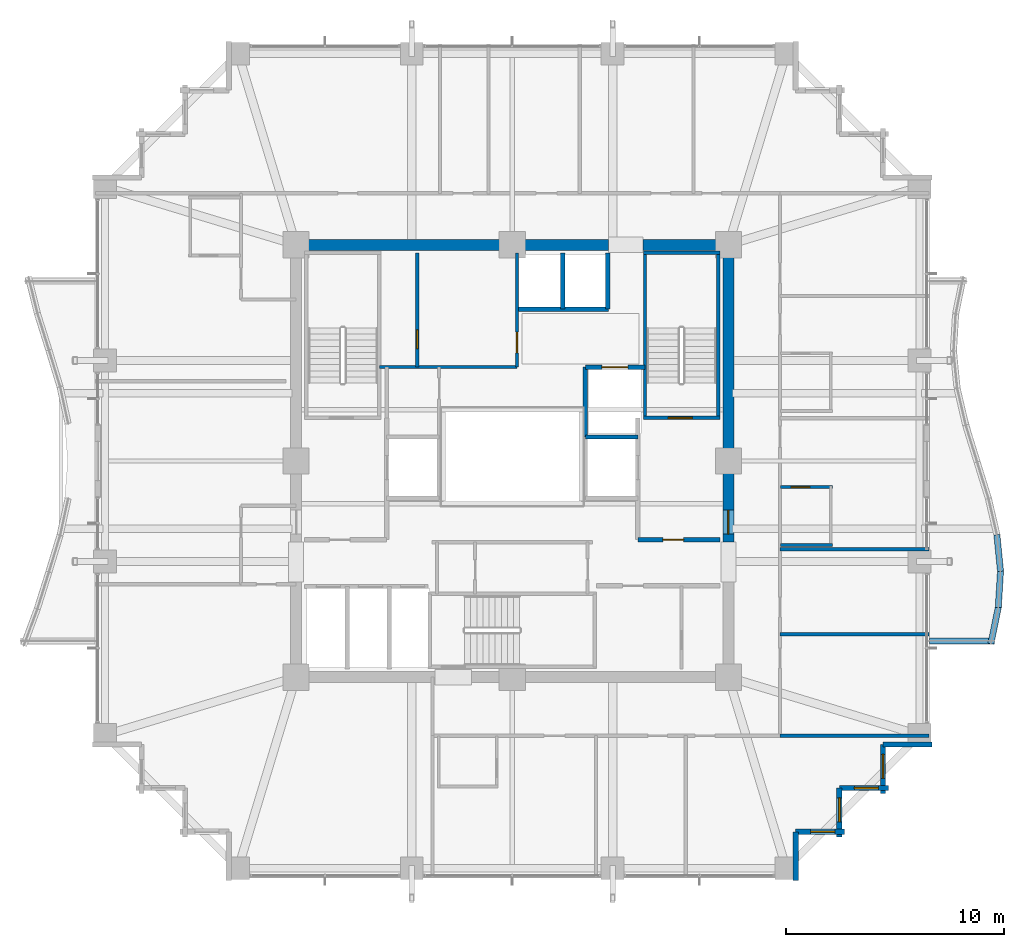
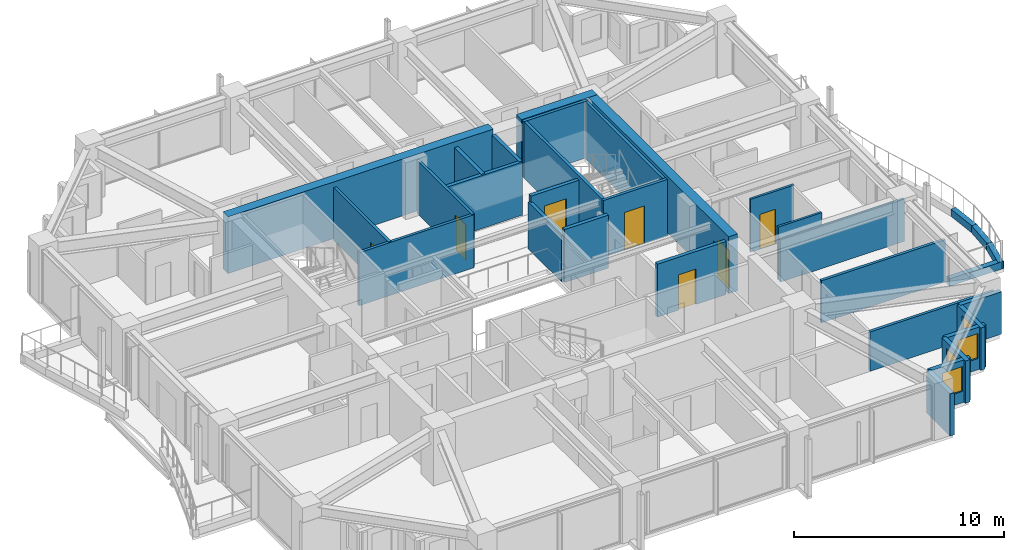
# One storey, part 31 of 35: 32 walls, 7 doors, 4 windows, 11 openings.
"""IFC4 building model written with IfcOpenShell, lengths in metres."""

import ifcopenshell
import ifcopenshell.guid

model = None  # the IFC model being written
_history = None  # IfcOwnerHistory: only IFC2X3 demands one
_inside = {}  # id of a spatial element -> (the spatial element, [elements in it])
_under = {}  # id of a project, library or spatial element -> (it, [spatial elements below it])
_declared = {}  # id of a project -> (the project, [libraries it declares])
_typed = {}  # id of a type object -> (the type object, [elements of that type])
_made_of = {}  # id of a material, layer set ... -> (it, [elements and type objects made of it])


def new_model(schema):
    """Start an empty IFC model of exactly this schema.

    Asked for "IFC4X3", IfcOpenShell would pick the latest addendum, in which some entities
    have other attributes; the version numbers below select the first issue.
    IFC2X3 requires an IfcOwnerHistory on every rooted entity: one is made here for all.
    """
    global model, _history
    if schema == "IFC4X3":
        model = ifcopenshell.file(schema_version=(4, 3, 0, 0))
    else:
        model = ifcopenshell.file(schema=schema)
    _inside.clear()
    _under.clear()
    _declared.clear()
    _typed.clear()
    _made_of.clear()
    _history = None
    if model.schema == "IFC2X3":
        org = make("IfcOrganization", Name="unknown")
        user = make(
            "IfcPersonAndOrganization",
            ThePerson=make("IfcPerson", FamilyName="unknown"),
            TheOrganization=org,
        )
        app = make(
            "IfcApplication",
            ApplicationDeveloper=org,
            Version="unknown",
            ApplicationFullName="unknown",
            ApplicationIdentifier="unknown",
        )
        _history = make(
            "IfcOwnerHistory",
            OwningUser=user,
            OwningApplication=app,
            ChangeAction="ADDED",
            CreationDate=0,
        )
    return model


def make(cls, **values):
    """One entity of the class cls with the attributes given. An attribute that is None is left unset."""
    return model.create_entity(
        cls, **{name: value for name, value in values.items() if value is not None}
    )


def rooted(cls, **values):
    """An entity with a GlobalId (a new one), such as an element, a storey or a relation."""
    return make(cls, GlobalId=ifcopenshell.guid.new(), OwnerHistory=_history, **values)


def si_unit(unit_type, name, prefix=None):
    """IfcSIUnit, for example si_unit("LENGTHUNIT", "METRE", prefix="MILLI")."""
    return make("IfcSIUnit", UnitType=unit_type, Prefix=prefix, Name=name)


def assignment(units):
    """IfcUnitAssignment: the units of a project."""
    return None if units is None else make("IfcUnitAssignment", Units=units)


def point(xyz):
    """IfcCartesianPoint."""
    return None if xyz is None else make("IfcCartesianPoint", Coordinates=xyz)


def direction(xyz):
    """IfcDirection."""
    return None if xyz is None else make("IfcDirection", DirectionRatios=xyz)


def frame(location, z_axis=None, x_axis=None):
    """IfcAxis2Placement3D, a coordinate frame: its origin and axes. An axis left out is left unset."""
    return make(
        "IfcAxis2Placement3D",
        Location=point(location),
        Axis=direction(z_axis),
        RefDirection=direction(x_axis),
    )


def frame_2d(location, x_axis=None):
    """IfcAxis2Placement2D, a coordinate frame in the plane: its origin and x axis."""
    return make(
        "IfcAxis2Placement2D", Location=point(location), RefDirection=direction(x_axis)
    )


def origin():
    """The frame at (0, 0, 0) with its axes left unset."""
    return frame((0.0, 0.0, 0.0))


def place(relative_to, where):
    """IfcLocalPlacement: puts the frame where relative to a parent placement (None: the world)."""
    return make(
        "IfcLocalPlacement", PlacementRelTo=relative_to, RelativePlacement=where
    )


def context(
    kind, dimensions, precision=None, world=None, true_north=None, identifier=None
):
    """IfcGeometricRepresentationContext, for example the 3D "Model" context."""
    return make(
        "IfcGeometricRepresentationContext",
        ContextIdentifier=identifier,
        ContextType=kind,
        CoordinateSpaceDimension=dimensions,
        Precision=precision,
        WorldCoordinateSystem=world,
        TrueNorth=true_north,
    )


def subcontext(parent, identifier, kind, view, scale=None):
    """IfcGeometricRepresentationSubContext, for example "Body" below "Model"."""
    return make(
        "IfcGeometricRepresentationSubContext",
        ContextIdentifier=identifier,
        ContextType=kind,
        ParentContext=parent,
        TargetScale=scale,
        TargetView=view,
    )


def project(units=None, contexts=None):
    """IfcProject with its units and contexts."""
    return rooted(
        "IfcProject",
        Name="project",
        RepresentationContexts=contexts,
        UnitsInContext=assignment(units),
    )


def spatial(cls, under=None, at=None, **own):
    """A site, building, storey or space (cls), placed at a placement, below another one or the project."""
    s = rooted(cls, ObjectPlacement=at, **own)
    if under is not None:
        _under.setdefault(under.id(), (under, []))[1].append(s)
    return s


def profile(cls, at=None, kind="AREA", **sizes):
    """A parametric profile (cls). Its sizes go by their IFC names, for example OverallWidth=200.0."""
    return make(cls, ProfileType=kind, Position=at, **sizes)


def rectangle(**sizes):
    """IfcRectangleProfileDef."""
    return profile("IfcRectangleProfileDef", **sizes)


def extrude(swept, where, along, depth):
    """IfcExtrudedAreaSolid: the profile swept, set in the frame where, extruded along a direction by depth."""
    return make(
        "IfcExtrudedAreaSolid",
        SweptArea=swept,
        Position=where,
        ExtrudedDirection=direction(along),
        Depth=depth,
    )


def shape(context_of_items, identifier, shape_type, items):
    """IfcShapeRepresentation: the items that make up one representation, for example the "Body"."""
    return make(
        "IfcShapeRepresentation",
        ContextOfItems=context_of_items,
        RepresentationIdentifier=identifier,
        RepresentationType=shape_type,
        Items=items,
    )


def material(Name=None, Category=None):
    """IfcMaterial."""
    return make("IfcMaterial", Name=Name, Category=Category)


def layer(
    of_material, thickness, ventilated=None, Name=None, Category=None, Priority=None
):
    """IfcMaterialLayer: one layer of a wall or slab, of a material (None: an air gap)."""
    return make(
        "IfcMaterialLayer",
        Material=of_material,
        LayerThickness=thickness,
        IsVentilated=ventilated,
        Name=Name,
        Category=Category,
        Priority=Priority,
    )


def layer_set(layers, Name=None):
    """IfcMaterialLayerSet."""
    return make("IfcMaterialLayerSet", MaterialLayers=layers, LayerSetName=Name)


def made_of(thing, what):
    """Note that an element or type object is made of a material, layer set ...; save() writes the relation."""
    if what is not None:
        _made_of.setdefault(what.id(), (what, []))[1].append(thing)
    return thing


def type_object(cls, material=None, **own):
    """A type object (cls), such as IfcWallType, which elements share."""
    return made_of(rooted(cls, **own), material)


def element(
    cls,
    number,
    at=None,
    inside=None,
    cuts=None,
    type_object=None,
    material=None,
    context=None,
    identifier="Body",
    shape_type=None,
    held_by="IfcProductDefinitionShape",
    body=None,
    shapes=None,
    **own,
):
    """One element of the class cls, such as IfcWall. Its Tag is "e" and its number.

    at: its placement. inside: the storey or other place that contains it. cuts: it is an
    opening in that element (IfcRelVoidsElement). A single representation is given by context,
    identifier, shape_type and body (its items); several are given by shapes. held_by: the class
    of the entity that holds the representations. save() writes the other relations.
    """
    e = rooted(cls, Tag="e%d" % number, ObjectPlacement=at, **own)
    if body is not None:
        shapes = [shape(context, identifier, shape_type, body)]
    if shapes is not None:
        e.Representation = make(held_by, Representations=shapes)
    if inside is not None:
        _inside.setdefault(inside.id(), (inside, []))[1].append(e)
    if cuts is not None:
        rooted(
            "IfcRelVoidsElement", RelatingBuildingElement=cuts, RelatedOpeningElement=e
        )
    if type_object is not None:
        _typed.setdefault(type_object.id(), (type_object, []))[1].append(e)
    return made_of(e, material)


def fill(opening, filler):
    """IfcRelFillsElement: the door or window that sits in an opening."""
    return rooted(
        "IfcRelFillsElement",
        RelatingOpeningElement=opening,
        RelatedBuildingElement=filler,
    )


def aggregate(whole, parts):
    """IfcRelAggregates: a whole, such as a stair, and the parts it consists of."""
    return rooted("IfcRelAggregates", RelatingObject=whole, RelatedObjects=parts)


def save(model, path):
    """Write the relations noted so far, then the file.

    IfcRelAggregates (storeys below a building ...), IfcRelContainedInSpatialStructure (elements
    in a storey), IfcRelDefinesByType, IfcRelAssociatesMaterial and IfcRelDeclares: one each for
    every whole, place, type object, material and project.
    """
    for whole, parts in _under.values():
        aggregate(whole, parts)
    for where, things in _inside.values():
        rooted(
            "IfcRelContainedInSpatialStructure",
            RelatedElements=things,
            RelatingStructure=where,
        )
    for kind, things in _typed.values():
        rooted("IfcRelDefinesByType", RelatedObjects=things, RelatingType=kind)
    for what, things in _made_of.values():
        rooted("IfcRelAssociatesMaterial", RelatedObjects=things, RelatingMaterial=what)
    for by, libraries in _declared.values():
        rooted("IfcRelDeclares", RelatingContext=by, RelatedDefinitions=libraries)
    model.write(path)


model = new_model("IFC4")

# Units and contexts
model_context = context("Model", 3, precision=1e-05, world=origin(), true_north=direction((0.0, 1.0)))
body_context = subcontext(model_context, "Body", "Model", "MODEL_VIEW")
ifc_project = project(units=[si_unit("LENGTHUNIT", "METRE"), si_unit("AREAUNIT", "SQUARE_METRE"), si_unit("VOLUMEUNIT", "CUBIC_METRE"), si_unit("PLANEANGLEUNIT", "RADIAN"), si_unit("MASSUNIT", "GRAM", prefix="KILO")], contexts=[model_context])

# Site, building, storey
site_placement = place(None, origin())
site = spatial("IfcSite", under=ifc_project, at=site_placement, CompositionType="ELEMENT")
building_placement = place(site_placement, origin())
building = spatial("IfcBuilding", under=site, at=building_placement, Name="Kolvaren Belvedere", CompositionType="ELEMENT")
storey_placement = place(building_placement, frame((0.0, 0.0, 115.10009765625)))
storey = spatial("IfcBuildingStorey", under=building, at=storey_placement, Name="L33", CompositionType="ELEMENT", Elevation=115.10009765625)

# Walls
ifc_material_1 = material(Name="Concrete C50/60", Category="concrete")
ifc_layer_1 = layer(ifc_material_1, 0.5)
ifc_layer_set_1 = layer_set([ifc_layer_1], Name="Concrete C50/60")
wall_type_1 = type_object("IfcWallType", Name="CW-CORE-500", PredefinedType="SHEAR", material=ifc_layer_set_1)
wall_1_placement = place(storey_placement, frame((-10.14990234375, 9.89990234375, 0.0), z_axis=(0.0, 0.0, 1.0), x_axis=(1.0, 0.0, 0.0)))
element("IfcWall", 1, at=wall_1_placement, inside=storey, type_object=wall_type_1, Name="L33 North Core Shear Wall 1", PredefinedType="SHEAR", context=body_context, shape_type="SweptSolid", body=[
    extrude(rectangle(XDim=14.56982421875, YDim=0.5, at=frame_2d((7.284912109375, 0.0))), origin(), (0.0, 0.0, 1.0), 3.2998046875),
])
wall_2_placement = place(storey_placement, frame((5.97998046875, 9.89990234375, 0.0), z_axis=(0.0, 0.0, 1.0), x_axis=(1.0, 0.0, 0.0)))
element("IfcWall", 2, at=wall_2_placement, inside=storey, type_object=wall_type_1, Name="L33 North Core Shear Wall 2", PredefinedType="SHEAR", context=body_context, shape_type="SweptSolid", body=[
    extrude(rectangle(XDim=4.169921875, YDim=0.5, at=frame_2d((2.0849609375, 0.0))), origin(), (0.0, 0.0, 1.0), 3.2998046875),
])

# Wall, opening, door
wall_3_placement = place(storey_placement, frame((9.89990234375, -3.699951171875, 0.0), z_axis=(0.0, 0.0, 1.0), x_axis=(0.0, 1.0, 0.0)))
wall_3 = element("IfcWall", 3, at=wall_3_placement, inside=storey, type_object=wall_type_1, Name="L33 East Core Shear Wall 2", PredefinedType="SHEAR", context=body_context, shape_type="SweptSolid", body=[
    extrude(rectangle(XDim=13.349853515625, YDim=0.5, at=frame_2d((6.6748046875, 0.0))), origin(), (0.0, 0.0, 1.0), 3.2998046875),
])
opening_1_placement = place(wall_3_placement, frame((0.35009765625, 0.0, 0.0)))
opening_1 = element("IfcOpeningElement", 4, at=opening_1_placement, cuts=wall_3, Name="Opening D-FD90", PredefinedType="OPENING", context=body_context, shape_type="SweptSolid", body=[
    extrude(rectangle(XDim=1.10009765625, YDim=2.199951171875, at=frame_2d((0.550048828125, 1.10009765625))), frame((0.0, 0.260009765625, 0.0), z_axis=(0.0, -1.0, 0.0), x_axis=(1.0, 0.0, 0.0)), (0.0, 0.0, 1.0), 0.52001953125),
])
ifc_material_2 = material(Name="Painted hollow stainless steel", Category="steel")
door_type_1 = type_object("IfcDoorType", Name="DR-FD90-1100", OperationType="NOTDEFINED", PredefinedType="DOOR", material=ifc_material_2)
door_1_placement = place(opening_1_placement, origin())
door_1 = element("IfcDoor", 5, at=door_1_placement, inside=storey, type_object=door_type_1, Name="L33 East Firefighting Lobby Fire Door", OperationType="SINGLE_SWING_RIGHT", OverallHeight=2.199951171875, OverallWidth=1.10009765625, PredefinedType="DOOR", context=body_context, shape_type="SweptSolid", body=[
    extrude(rectangle(XDim=1.10009765625, YDim=2.199951171875, at=frame_2d((0.550048828125, 1.10009765625))), frame((0.0, 0.02490234375, 0.0), z_axis=(0.0, -1.0, 0.0), x_axis=(1.0, 0.0, 0.0)), (0.0, 0.0, 1.0), 0.050048828125),
])
fill(opening_1, door_1)

ifc_material_3 = material(Name="Concrete C50/60", Category="concrete")
ifc_layer_2 = layer(ifc_material_3, 0.159912109375)
ifc_layer_set_2 = layer_set([ifc_layer_2], Name="Concrete C50/60")
wall_type_2 = type_object("IfcWallType", Name="CW-STAIR-160", PredefinedType="SHEAR", material=ifc_layer_set_2)
wall_4_placement = place(storey_placement, frame((6.0, 1.969970703125, 0.0), z_axis=(0.0, 0.0, 1.0), x_axis=(1.0, 0.0, 0.0)))
wall_4 = element("IfcWall", 6, at=wall_4_placement, inside=storey, type_object=wall_type_2, Name="L33 Stair ST-2 South Shear Wall", PredefinedType="SHEAR", context=body_context, shape_type="SweptSolid", body=[
    extrude(rectangle(XDim=3.52001953125, YDim=0.159912109375, at=frame_2d((1.760009765625, 0.0))), origin(), (0.0, 0.0, 1.0), 3.2998046875),
])
opening_2_placement = place(wall_4_placement, frame((1.14990234375, 0.0, 0.0)))
opening_2 = element("IfcOpeningElement", 7, at=opening_2_placement, cuts=wall_4, Name="Opening D-FD90", PredefinedType="OPENING", context=body_context, shape_type="SweptSolid", body=[
    extrude(rectangle(XDim=1.10009765625, YDim=2.199951171875, at=frame_2d((0.550048828125, 1.10009765625))), frame((0.0, 0.08984375, 0.0), z_axis=(0.0, -1.0, 0.0), x_axis=(1.0, 0.0, 0.0)), (0.0, 0.0, 1.0), 0.179931640625),
])
door_2_placement = place(opening_2_placement, origin())
door_2 = element("IfcDoor", 8, at=door_2_placement, inside=storey, type_object=door_type_1, Name="L33 Stair ST-2 Fire Door", OperationType="SINGLE_SWING_RIGHT", OverallHeight=2.199951171875, OverallWidth=1.10009765625, PredefinedType="DOOR", context=body_context, shape_type="SweptSolid", body=[
    extrude(rectangle(XDim=1.10009765625, YDim=2.199951171875, at=frame_2d((0.550048828125, 1.10009765625))), frame((0.0, 0.02490234375, 0.0), z_axis=(0.0, -1.0, 0.0), x_axis=(1.0, 0.0, 0.0)), (0.0, 0.0, 1.0), 0.050048828125),
])
fill(opening_2, door_2)

# Walls
wall_5_placement = place(storey_placement, frame((6.0, 9.530029296875, 0.0), z_axis=(0.0, 0.0, 1.0), x_axis=(1.0, 0.0, 0.0)))
element("IfcWall", 9, at=wall_5_placement, inside=storey, type_object=wall_type_2, Name="L33 Stair ST-2 North Shear Wall", PredefinedType="SHEAR", context=body_context, shape_type="SweptSolid", body=[
    extrude(rectangle(XDim=3.52001953125, YDim=0.159912109375, at=frame_2d((1.760009765625, 0.0))), origin(), (0.0, 0.0, 1.0), 3.2998046875),
])
for number, where, z_axis, x_axis, name in (
    (10, (6.080078125, 1.969970703125, 0.0), (0.0, 0.0, 1.0), (0.0, 1.0, 0.0), "L33 Stair ST-2 West Shear Wall"),
    (11, (9.429931640625, 1.969970703125, 0.0), (0.0, 0.0, 1.0), (0.0, 1.0, 0.0), "L33 Stair ST-2 East Shear Wall"),
):
    element("IfcWall", number, at=place(storey_placement, frame(where, z_axis=z_axis, x_axis=x_axis)), inside=storey, type_object=wall_type_2, Name=name, PredefinedType="SHEAR", context=body_context, shape_type="SweptSolid", body=[
        extrude(rectangle(XDim=7.56005859375, YDim=0.159912109375, at=frame_2d((3.780029296875, 0.0))), origin(), (0.0, 0.0, 1.0), 3.2998046875),
    ])
ifc_material_4 = material(Name="Insulated pale-metal facade wall assembly", Category="aluminium")
ifc_layer_3 = layer(ifc_material_4, 0.239990234375)
ifc_layer_set_3 = layer_set([ifc_layer_3], Name="Insulated pale-metal facade wall assembly")
wall_type_3 = type_object("IfcWallType", Name="WL-EXT-240", PredefinedType="STANDARD", material=ifc_layer_set_3)
wall_6_placement = place(storey_placement, frame((12.97998046875, -16.97998046875, 0.0), z_axis=(0.0, 0.0, 1.0), x_axis=(0.0, -1.0, 0.0)))
element("IfcWall", 12, at=wall_6_placement, inside=storey, type_object=wall_type_3, Name="L33 Serrated Corner Facade Wall 2", PredefinedType="STANDARD", context=body_context, shape_type="SweptSolid", body=[
    extrude(rectangle(XDim=2.239990234375, YDim=0.239990234375, at=frame_2d((1.1201171875, 0.0))), origin(), (0.0, 0.0, 1.0), 2.458984375),
])

# Wall, opening, window
wall_7_placement = place(storey_placement, frame((15.219970703125, -16.97998046875, 0.0), z_axis=(0.0, 0.0, 1.0), x_axis=(-1.0, 0.0, 0.0)))
wall_7 = element("IfcWall", 13, at=wall_7_placement, inside=storey, type_object=wall_type_3, Name="L33 Serrated Corner Facade Wall 3", PredefinedType="STANDARD", context=body_context, shape_type="SweptSolid", body=[
    extrude(rectangle(XDim=2.239990234375, YDim=0.239990234375, at=frame_2d((1.1201171875, 0.0))), origin(), (0.0, 0.0, 1.0), 2.458984375),
])
opening_3_placement = place(wall_7_placement, frame((0.449951171875, 0.0, 0.64990234375)))
opening_3 = element("IfcOpeningElement", 14, at=opening_3_placement, cuts=wall_7, Name="Opening W-1100", PredefinedType="OPENING", context=body_context, shape_type="SweptSolid", body=[
    extrude(rectangle(XDim=1.10009765625, YDim=1.449951171875, at=frame_2d((0.550048828125, 0.72509765625))), frame((0.0, 0.1298828125, 0.0), z_axis=(0.0, -1.0, 0.0), x_axis=(1.0, 0.0, 0.0)), (0.0, 0.0, 1.0), 0.260009765625),
])
ifc_material_5 = material(Name="Low-iron triple insulated glass", Category="glass")
window_type = type_object("IfcWindowType", Name="WN-CORN-1100", PartitioningType="SINGLE_PANEL", PredefinedType="WINDOW", material=ifc_material_5)
window_1_placement = place(opening_3_placement, origin())
window_1 = element("IfcWindow", 15, at=window_1_placement, inside=storey, type_object=window_type, Name="L33 Serrated Corner Vision Window 3", OverallHeight=1.449951171875, OverallWidth=1.10009765625, PartitioningType="SINGLE_PANEL", PredefinedType="WINDOW", context=body_context, shape_type="SweptSolid", body=[
    extrude(rectangle(XDim=1.10009765625, YDim=1.449951171875, at=frame_2d((0.550048828125, 0.72509765625))), frame((0.0, 0.030029296875, 0.0), z_axis=(0.0, -1.0, 0.0), x_axis=(1.0, 0.0, 0.0)), (0.0, 0.0, 1.0), 0.06005859375),
])
fill(opening_3, window_1)

wall_8_placement = place(storey_placement, frame((14.97998046875, -14.97998046875, 0.0), z_axis=(0.0, 0.0, 1.0), x_axis=(0.0, -1.0, 0.0)))
wall_8 = element("IfcWall", 16, at=wall_8_placement, inside=storey, type_object=wall_type_3, Name="L33 Serrated Corner Facade Wall 4", PredefinedType="STANDARD", context=body_context, shape_type="SweptSolid", body=[
    extrude(rectangle(XDim=2.239990234375, YDim=0.239990234375, at=frame_2d((1.1201171875, 0.0))), origin(), (0.0, 0.0, 1.0), 2.458984375),
])
opening_4_placement = place(wall_8_placement, frame((0.449951171875, 0.0, 0.64990234375)))
opening_4 = element("IfcOpeningElement", 17, at=opening_4_placement, cuts=wall_8, Name="Opening W-1100", PredefinedType="OPENING", context=body_context, shape_type="SweptSolid", body=[
    extrude(rectangle(XDim=1.10009765625, YDim=1.449951171875, at=frame_2d((0.550048828125, 0.72509765625))), frame((0.0, 0.1298828125, 0.0), z_axis=(0.0, -1.0, 0.0), x_axis=(1.0, 0.0, 0.0)), (0.0, 0.0, 1.0), 0.260009765625),
])
window_2_placement = place(opening_4_placement, origin())
window_2 = element("IfcWindow", 18, at=window_2_placement, inside=storey, type_object=window_type, Name="L33 Serrated Corner Vision Window 4", OverallHeight=1.449951171875, OverallWidth=1.10009765625, PartitioningType="SINGLE_PANEL", PredefinedType="WINDOW", context=body_context, shape_type="SweptSolid", body=[
    extrude(rectangle(XDim=1.10009765625, YDim=1.449951171875, at=frame_2d((0.550048828125, 0.72509765625))), frame((0.0, 0.030029296875, 0.0), z_axis=(0.0, -1.0, 0.0), x_axis=(1.0, 0.0, 0.0)), (0.0, 0.0, 1.0), 0.06005859375),
])
fill(opening_4, window_2)

wall_9_placement = place(storey_placement, frame((17.219970703125, -14.97998046875, 0.0), z_axis=(0.0, 0.0, 1.0), x_axis=(-1.0, 0.0, 0.0)))
wall_9 = element("IfcWall", 19, at=wall_9_placement, inside=storey, type_object=wall_type_3, Name="L33 Serrated Corner Facade Wall 5", PredefinedType="STANDARD", context=body_context, shape_type="SweptSolid", body=[
    extrude(rectangle(XDim=2.239990234375, YDim=0.239990234375, at=frame_2d((1.1201171875, 0.0))), origin(), (0.0, 0.0, 1.0), 2.458984375),
])
opening_5_placement = place(wall_9_placement, frame((0.449951171875, 0.0, 0.64990234375)))
opening_5 = element("IfcOpeningElement", 20, at=opening_5_placement, cuts=wall_9, Name="Opening W-1100", PredefinedType="OPENING", context=body_context, shape_type="SweptSolid", body=[
    extrude(rectangle(XDim=1.10009765625, YDim=1.449951171875, at=frame_2d((0.550048828125, 0.72509765625))), frame((0.0, 0.1298828125, 0.0), z_axis=(0.0, -1.0, 0.0), x_axis=(1.0, 0.0, 0.0)), (0.0, 0.0, 1.0), 0.260009765625),
])
window_3_placement = place(opening_5_placement, origin())
window_3 = element("IfcWindow", 21, at=window_3_placement, inside=storey, type_object=window_type, Name="L33 Serrated Corner Vision Window 5", OverallHeight=1.449951171875, OverallWidth=1.10009765625, PartitioningType="SINGLE_PANEL", PredefinedType="WINDOW", context=body_context, shape_type="SweptSolid", body=[
    extrude(rectangle(XDim=1.10009765625, YDim=1.449951171875, at=frame_2d((0.550048828125, 0.72509765625))), frame((0.0, 0.030029296875, 0.0), z_axis=(0.0, -1.0, 0.0), x_axis=(1.0, 0.0, 0.0)), (0.0, 0.0, 1.0), 0.06005859375),
])
fill(opening_5, window_3)

wall_10_placement = place(storey_placement, frame((16.97998046875, -12.97998046875, 0.0), z_axis=(0.0, 0.0, 1.0), x_axis=(0.0, -1.0, 0.0)))
wall_10 = element("IfcWall", 22, at=wall_10_placement, inside=storey, type_object=wall_type_3, Name="L33 Serrated Corner Facade Wall 6", PredefinedType="STANDARD", context=body_context, shape_type="SweptSolid", body=[
    extrude(rectangle(XDim=2.239990234375, YDim=0.239990234375, at=frame_2d((1.1201171875, 0.0))), origin(), (0.0, 0.0, 1.0), 2.458984375),
])
opening_6_placement = place(wall_10_placement, frame((0.449951171875, 0.0, 0.64990234375)))
opening_6 = element("IfcOpeningElement", 23, at=opening_6_placement, cuts=wall_10, Name="Opening W-1100", PredefinedType="OPENING", context=body_context, shape_type="SweptSolid", body=[
    extrude(rectangle(XDim=1.10009765625, YDim=1.449951171875, at=frame_2d((0.550048828125, 0.72509765625))), frame((0.0, 0.1298828125, 0.0), z_axis=(0.0, -1.0, 0.0), x_axis=(1.0, 0.0, 0.0)), (0.0, 0.0, 1.0), 0.260009765625),
])
window_4_placement = place(opening_6_placement, origin())
window_4 = element("IfcWindow", 24, at=window_4_placement, inside=storey, type_object=window_type, Name="L33 Serrated Corner Vision Window 6", OverallHeight=1.449951171875, OverallWidth=1.10009765625, PartitioningType="SINGLE_PANEL", PredefinedType="WINDOW", context=body_context, shape_type="SweptSolid", body=[
    extrude(rectangle(XDim=1.10009765625, YDim=1.449951171875, at=frame_2d((0.550048828125, 0.72509765625))), frame((0.0, 0.030029296875, 0.0), z_axis=(0.0, -1.0, 0.0), x_axis=(1.0, 0.0, 0.0)), (0.0, 0.0, 1.0), 0.06005859375),
])
fill(opening_6, window_4)

# Walls
wall_11_placement = place(storey_placement, frame((19.219970703125, -12.97998046875, 0.0), z_axis=(0.0, 0.0, 1.0), x_axis=(-1.0, 0.0, 0.0)))
element("IfcWall", 25, at=wall_11_placement, inside=storey, type_object=wall_type_3, Name="L33 Serrated Corner Facade Wall 7", PredefinedType="STANDARD", context=body_context, shape_type="SweptSolid", body=[
    extrude(rectangle(XDim=2.239990234375, YDim=0.239990234375, at=frame_2d((1.1201171875, 0.0))), origin(), (0.0, 0.0, 1.0), 2.458984375),
])
ifc_material_6 = material(Name="Gypsum acoustic partition assembly", Category="gypsum")
ifc_layer_4 = layer(ifc_material_6, 0.14990234375)
ifc_layer_set_4 = layer_set([ifc_layer_4], Name="Gypsum acoustic partition assembly")
wall_type_4 = type_object("IfcWallType", Name="WL-PART-150", PredefinedType="PARTITIONING", material=ifc_layer_set_4)
wall_12_placement = place(storey_placement, frame((-6.080078125, 4.300048828125, 0.0), z_axis=(0.0, 0.0, 1.0), x_axis=(1.0, 0.0, 0.0)))
element("IfcWall", 26, at=wall_12_placement, inside=storey, type_object=wall_type_4, Name="L33 Reclaimed Salon South Wall", PredefinedType="PARTITIONING", context=body_context, shape_type="SweptSolid", body=[
    extrude(rectangle(XDim=6.300048828125, YDim=0.14990234375, at=frame_2d((3.14990234375, 0.0))), origin(), (0.0, 0.0, 1.0), 3.079833984375),
])

# Wall, opening, door
wall_13_placement = place(storey_placement, frame((0.219970703125, 4.300048828125, 0.0), z_axis=(0.0, 0.0, 1.0), x_axis=(0.0, 1.0, 0.0)))
wall_13 = element("IfcWall", 27, at=wall_13_placement, inside=storey, type_object=wall_type_4, Name="L33 Reclaimed Salon East Wall", PredefinedType="PARTITIONING", context=body_context, shape_type="SweptSolid", body=[
    extrude(rectangle(XDim=5.219970703125, YDim=0.14990234375, at=frame_2d((2.60986328125, 0.0))), origin(), (0.0, 0.0, 1.0), 3.079833984375),
])
opening_7_placement = place(wall_13_placement, frame((0.64990234375, 0.0, 0.0)))
opening_7 = element("IfcOpeningElement", 28, at=opening_7_placement, cuts=wall_13, Name="Opening D-INT95", PredefinedType="OPENING", context=body_context, shape_type="SweptSolid", body=[
    extrude(rectangle(XDim=0.949951171875, YDim=2.06005859375, at=frame_2d((0.47509765625, 1.030029296875))), frame((0.0, 0.0849609375, 0.0), z_axis=(0.0, -1.0, 0.0), x_axis=(1.0, 0.0, 0.0)), (0.0, 0.0, 1.0), 0.169921875),
])
ifc_material_7 = material(Name="Stained Pacific white oak", Category="timber")
door_type_2 = type_object("IfcDoorType", Name="DR-INT-950", OperationType="NOTDEFINED", PredefinedType="DOOR", material=ifc_material_7)
door_3_placement = place(opening_7_placement, origin())
door_3 = element("IfcDoor", 29, at=door_3_placement, inside=storey, type_object=door_type_2, Name="L33 Art Salon Door", OperationType="SINGLE_SWING_LEFT", OverallHeight=2.06005859375, OverallWidth=0.949951171875, PredefinedType="DOOR", context=body_context, shape_type="SweptSolid", body=[
    extrude(rectangle(XDim=0.949951171875, YDim=2.06005859375, at=frame_2d((0.47509765625, 1.030029296875))), frame((0.0, 0.02490234375, 0.0), z_axis=(0.0, -1.0, 0.0), x_axis=(1.0, 0.0, 0.0)), (0.0, 0.0, 1.0), 0.050048828125),
])
fill(opening_7, door_3)

wall_14_placement = place(storey_placement, frame((-4.35009765625, 4.300048828125, 0.0), z_axis=(0.0, 0.0, 1.0), x_axis=(0.0, 1.0, 0.0)))
wall_14 = element("IfcWall", 30, at=wall_14_placement, inside=storey, type_object=wall_type_4, Name="L33 Reclaimed Archive Divider", PredefinedType="PARTITIONING", context=body_context, shape_type="SweptSolid", body=[
    extrude(rectangle(XDim=5.219970703125, YDim=0.14990234375, at=frame_2d((2.60986328125, 0.0))), origin(), (0.0, 0.0, 1.0), 3.079833984375),
])
opening_8_placement = place(wall_14_placement, frame((0.85009765625, 0.0, 0.0)))
opening_8 = element("IfcOpeningElement", 31, at=opening_8_placement, cuts=wall_14, Name="Opening D-INT85", PredefinedType="OPENING", context=body_context, shape_type="SweptSolid", body=[
    extrude(rectangle(XDim=0.85009765625, YDim=2.030029296875, at=frame_2d((0.425048828125, 1.01513671875))), frame((0.0, 0.0849609375, 0.0), z_axis=(0.0, -1.0, 0.0), x_axis=(1.0, 0.0, 0.0)), (0.0, 0.0, 1.0), 0.169921875),
])
ifc_material_8 = material(Name="Stained Pacific white oak", Category="timber")
door_type_3 = type_object("IfcDoorType", Name="DR-INT-850", OperationType="NOTDEFINED", PredefinedType="DOOR", material=ifc_material_8)
door_4_placement = place(opening_8_placement, origin())
door_4 = element("IfcDoor", 32, at=door_4_placement, inside=storey, type_object=door_type_3, Name="L33 Archive Store Door", OperationType="SINGLE_SWING_RIGHT", OverallHeight=2.030029296875, OverallWidth=0.85009765625, PredefinedType="DOOR", context=body_context, shape_type="SweptSolid", body=[
    extrude(rectangle(XDim=0.85009765625, YDim=2.030029296875, at=frame_2d((0.425048828125, 1.01513671875))), frame((0.0, 0.02490234375, 0.0), z_axis=(0.0, -1.0, 0.0), x_axis=(1.0, 0.0, 0.0)), (0.0, 0.0, 1.0), 0.050048828125),
])
fill(opening_8, door_4)

# Walls
wall_15_placement = place(storey_placement, frame((12.260009765625, -12.580078125, 0.0), z_axis=(0.0, 0.0, 1.0), x_axis=(1.0, 0.0, 0.0)))
element("IfcWall", 33, at=wall_15_placement, inside=storey, type_object=wall_type_4, Name="L33 Wing Divider PW-L33-QSE", PredefinedType="PARTITIONING", context=body_context, shape_type="SweptSolid", body=[
    extrude(rectangle(XDim=6.820068359375, YDim=0.14990234375, at=frame_2d((3.41015625, 0.0))), origin(), (0.0, 0.0, 1.0), 2.2919921875),
])
for number, where, z_axis, x_axis, name in (
    (34, (12.260009765625, -7.93994140625, 0.0), (0.0, 0.0, 1.0), (1.0, 0.0, 0.0), "L33 East Suite Demising Wall 1"),
    (35, (12.260009765625, -4.0400390625, 0.0), (0.0, 0.0, 1.0), (1.0, 0.0, 0.0), "L33 East Suite Demising Wall 2"),
):
    element("IfcWall", number, at=place(storey_placement, frame(where, z_axis=z_axis, x_axis=x_axis)), inside=storey, type_object=wall_type_4, Name=name, PredefinedType="PARTITIONING", context=body_context, shape_type="SweptSolid", body=[
        extrude(rectangle(XDim=6.820068359375, YDim=0.14990234375, at=frame_2d((3.41015625, 0.0))), origin(), (0.0, 0.0, 1.0), 2.448974609375),
    ])
ifc_material_9 = material(Name="Precast concrete C40/50", Category="concrete")
ifc_layer_5 = layer(ifc_material_9, 0.300048828125)
ifc_layer_set_5 = layer_set([ifc_layer_5], Name="Precast concrete C40/50")
wall_type_5 = type_object("IfcWallType", Name="WL-PLANTER-300", PredefinedType="PARAPET", material=ifc_layer_set_5)
wall_16_placement = place(storey_placement, frame((21.91796875, -8.367919921875, -0.0400390625), z_axis=(0.0, 0.0, 1.0), x_axis=(0.199784246163, 0.979839912937, 0.0)))
element("IfcWall", 36, at=wall_16_placement, inside=storey, type_object=wall_type_5, Name="L33 Precast Structural Planter Wall BAL-E-1", PredefinedType="PARAPET", context=body_context, shape_type="SweptSolid", body=[
    extrude(rectangle(XDim=1.714599609375, YDim=0.280029296875, at=frame_2d((0.857421875, 0.0))), origin(), (0.0, 0.0, 1.0), 0.419921875),
])
wall_17_placement = place(storey_placement, frame((22.257568359375, -6.710205078125, -0.0400390625), z_axis=(0.0, 0.0, 1.0), x_axis=(0.061068773295, 0.998133560666, 0.0)))
element("IfcWall", 37, at=wall_17_placement, inside=storey, type_object=wall_type_5, Name="L33 Precast Structural Planter Wall BAL-E-2", PredefinedType="PARAPET", context=body_context, shape_type="SweptSolid", body=[
    extrude(rectangle(XDim=1.68310546875, YDim=0.280029296875, at=frame_2d((0.841552734375, 0.0))), origin(), (0.0, 0.0, 1.0), 0.419921875),
])
wall_18_placement = place(storey_placement, frame((22.36083984375, -5.055908203125, -0.0400390625), z_axis=(0.0, 0.0, 1.0), x_axis=(-0.099632573776, 0.995024296308, 0.0)))
element("IfcWall", 38, at=wall_18_placement, inside=storey, type_object=wall_type_5, Name="L33 Precast Structural Planter Wall BAL-E-3", PredefinedType="PARAPET", context=body_context, shape_type="SweptSolid", body=[
    extrude(rectangle(XDim=1.688232421875, YDim=0.280029296875, at=frame_2d((0.84423828125, 0.0))), origin(), (0.0, 0.0, 1.0), 0.419921875),
])
wall_19_placement = place(storey_placement, frame((19.10009765625, -8.239990234375, -0.0400390625), z_axis=(0.0, 0.0, 1.0), x_axis=(1.0, 0.0, 0.0)))
element("IfcWall", 39, at=wall_19_placement, inside=storey, type_object=wall_type_5, Name="L33 Precast Structural Planter Wall BAL-E-22", PredefinedType="PARAPET", context=body_context, shape_type="SweptSolid", body=[
    extrude(rectangle(XDim=2.974609375, YDim=0.280029296875, at=frame_2d((1.4873046875, 0.0))), origin(), (0.0, 0.0, 1.0), 0.419921875),
])

# Wall, opening, door
ifc_material_10 = material(Name="Concrete C50/60", Category="concrete")
ifc_layer_6 = layer(ifc_material_10, 0.199951171875)
ifc_layer_set_6 = layer_set([ifc_layer_6], Name="Concrete C50/60")
wall_type_6 = type_object("IfcWallType", Name="WL-SHAFT-200", PredefinedType="SOLIDWALL", material=ifc_layer_set_6)
wall_20_placement = place(storey_placement, frame((5.75, -3.60009765625, 0.0), z_axis=(0.0, 0.0, 1.0), x_axis=(1.0, 0.0, 0.0)))
wall_20 = element("IfcWall", 40, at=wall_20_placement, inside=storey, type_object=wall_type_6, Name="L33 East FSAE Lobby South Wall", PredefinedType="SOLIDWALL", context=body_context, shape_type="SweptSolid", body=[
    extrude(rectangle(XDim=3.77001953125, YDim=0.199951171875, at=frame_2d((1.885009765625, 0.0))), origin(), (0.0, 0.0, 1.0), 3.079833984375),
])
opening_9_placement = place(wall_20_placement, frame((1.14990234375, 0.0, 0.0)))
opening_9 = element("IfcOpeningElement", 41, at=opening_9_placement, cuts=wall_20, Name="Opening D-FD60", PredefinedType="OPENING", context=body_context, shape_type="SweptSolid", body=[
    extrude(rectangle(XDim=0.949951171875, YDim=2.06005859375, at=frame_2d((0.47509765625, 1.030029296875))), frame((0.0, 0.10986328125, 0.0), z_axis=(0.0, -1.0, 0.0), x_axis=(1.0, 0.0, 0.0)), (0.0, 0.0, 1.0), 0.219970703125),
])
ifc_material_11 = material(Name="Acoustic white-oak fire door leaf", Category="timber")
door_type_4 = type_object("IfcDoorType", Name="DR-FD60-950", OperationType="NOTDEFINED", PredefinedType="DOOR", material=ifc_material_11)
door_5_placement = place(opening_9_placement, origin())
door_5 = element("IfcDoor", 42, at=door_5_placement, inside=storey, type_object=door_type_4, Name="L33 SE Lift Lobby Fire Door", OperationType="SINGLE_SWING_RIGHT", OverallHeight=2.06005859375, OverallWidth=0.949951171875, PredefinedType="DOOR", context=body_context, shape_type="SweptSolid", body=[
    extrude(rectangle(XDim=0.949951171875, YDim=2.06005859375, at=frame_2d((0.47509765625, 1.030029296875))), frame((0.0, 0.02490234375, 0.0), z_axis=(0.0, -1.0, 0.0), x_axis=(1.0, 0.0, 0.0)), (0.0, 0.0, 1.0), 0.050048828125),
])
fill(opening_9, door_5)

# Wall
wall_21_placement = place(storey_placement, frame((3.35009765625, 1.10009765625, 0.0), z_axis=(0.0, 0.0, 1.0), x_axis=(1.0, 0.0, 0.0)))
element("IfcWall", 43, at=wall_21_placement, inside=storey, type_object=wall_type_6, Name="L33 FSAE FS2 North Wall", PredefinedType="SOLIDWALL", context=body_context, shape_type="SweptSolid", body=[
    extrude(rectangle(XDim=2.39990234375, YDim=0.199951171875, at=frame_2d((1.199951171875, 0.0))), origin(), (0.0, 0.0, 1.0), 3.079833984375),
])

# Wall, opening, door
wall_22_placement = place(storey_placement, frame((3.35009765625, 4.300048828125, 0.0), z_axis=(0.0, 0.0, 1.0), x_axis=(1.0, 0.0, 0.0)))
wall_22 = element("IfcWall", 44, at=wall_22_placement, inside=storey, type_object=wall_type_6, Name="L33 Service Lift SV1 Front Wall", PredefinedType="SOLIDWALL", context=body_context, shape_type="SweptSolid", body=[
    extrude(rectangle(XDim=2.72998046875, YDim=0.199951171875, at=frame_2d((1.364990234375, 0.0))), origin(), (0.0, 0.0, 1.0), 3.079833984375),
])
opening_10_placement = place(wall_22_placement, frame((0.75, 0.0, 0.0)))
opening_10 = element("IfcOpeningElement", 45, at=opening_10_placement, cuts=wall_22, Name="Opening LD-12", PredefinedType="OPENING", context=body_context, shape_type="SweptSolid", body=[
    extrude(rectangle(XDim=1.199951171875, YDim=2.25, at=frame_2d((0.60009765625, 1.125))), frame((0.0, 0.10986328125, 0.0), z_axis=(0.0, -1.0, 0.0), x_axis=(1.0, 0.0, 0.0)), (0.0, 0.0, 1.0), 0.219970703125),
])
ifc_material_12 = material(Name="Brushed stainless steel", Category="steel")
door_type_5 = type_object("IfcDoorType", Name="DR-LIFT-1200", OperationType="DOUBLE_DOOR_SLIDING", PredefinedType="DOOR", material=ifc_material_12)
door_6_placement = place(opening_10_placement, origin())
door_6 = element("IfcDoor", 46, at=door_6_placement, inside=storey, type_object=door_type_5, Name="L33 Service Lift SV1 Landing Door", OperationType="DOUBLE_DOOR_SLIDING", OverallHeight=2.25, OverallWidth=1.199951171875, PredefinedType="DOOR", context=body_context, shape_type="SweptSolid", body=[
    extrude(rectangle(XDim=1.199951171875, YDim=2.25, at=frame_2d((0.60009765625, 1.125))), frame((0.0, 0.02490234375, 0.0), z_axis=(0.0, -1.0, 0.0), x_axis=(1.0, 0.0, 0.0)), (0.0, 0.0, 1.0), 0.050048828125),
])
fill(opening_10, door_6)

# Walls
wall_23_placement = place(storey_placement, frame((3.35009765625, 1.10009765625, 0.0), z_axis=(0.0, 0.0, 1.0), x_axis=(0.0, 1.0, 0.0)))
element("IfcWall", 47, at=wall_23_placement, inside=storey, type_object=wall_type_6, Name="L33 Service Lift SV1 West Wall", PredefinedType="SOLIDWALL", context=body_context, shape_type="SweptSolid", body=[
    extrude(rectangle(XDim=3.199951171875, YDim=0.199951171875, at=frame_2d((1.60009765625, 0.0))), origin(), (0.0, 0.0, 1.0), 2.71484375),
])
wall_24_placement = place(storey_placement, frame((0.219970703125, 6.949951171875, 0.0), z_axis=(0.0, 0.0, 1.0), x_axis=(1.0, 0.0, 0.0)))
element("IfcWall", 48, at=wall_24_placement, inside=storey, type_object=wall_type_6, Name="L33 Express Shuttle Hoistway Wall", PredefinedType="SOLIDWALL", context=body_context, shape_type="SweptSolid", body=[
    extrude(rectangle(XDim=4.179931640625, YDim=0.199951171875, at=frame_2d((2.08984375, 0.0))), origin(), (0.0, 0.0, 1.0), 3.079833984375),
])
for number, where, z_axis, x_axis, name in (
    (49, (4.3798828125, 6.949951171875, 0.0), (0.0, 0.0, 1.0), (0.0, 1.0, 0.0), "L33 Express Shuttle East Wall"),
    (50, (2.31005859375, 6.949951171875, 0.0), (0.0, 0.0, 1.0), (0.0, 1.0, 0.0), "L33 Express Shuttle Divider"),
):
    element("IfcWall", number, at=place(storey_placement, frame(where, z_axis=z_axis, x_axis=x_axis)), inside=storey, type_object=wall_type_6, Name=name, PredefinedType="SOLIDWALL", context=body_context, shape_type="SweptSolid", body=[
        extrude(rectangle(XDim=2.570068359375, YDim=0.199951171875, at=frame_2d((1.28515625, 0.0))), origin(), (0.0, 0.0, 1.0), 3.079833984375),
    ])

# Wall, opening, door
ifc_material_13 = material(Name="Moisture-resistant gypsum partition", Category="gypsum")
ifc_layer_7 = layer(ifc_material_13, 0.125)
ifc_layer_set_7 = layer_set([ifc_layer_7], Name="Moisture-resistant gypsum partition")
wall_type_7 = type_object("IfcWallType", Name="WL-WET-125", PredefinedType="PARTITIONING", material=ifc_layer_set_7)
wall_25_placement = place(storey_placement, frame((12.27490234375, -1.195068359375, 0.0), z_axis=(0.0, 0.0, 1.0), x_axis=(1.0, 0.0, 0.0)))
wall_25 = element("IfcWall", 51, at=wall_25_placement, inside=storey, type_object=wall_type_7, Name="L33 Bathroom Partition PW-L33-BTH-6-N", PredefinedType="PARTITIONING", context=body_context, shape_type="SweptSolid", body=[
    extrude(rectangle(XDim=2.39013671875, YDim=0.125, at=frame_2d((1.195068359375, 0.0))), origin(), (0.0, 0.0, 1.0), 3.079833984375),
])
opening_11_placement = place(wall_25_placement, frame((0.5, 0.0, 0.0)))
opening_11 = element("IfcOpeningElement", 52, at=opening_11_placement, cuts=wall_25, Name="Opening D-BTH85", PredefinedType="OPENING", context=body_context, shape_type="SweptSolid", body=[
    extrude(rectangle(XDim=0.85009765625, YDim=2.030029296875, at=frame_2d((0.425048828125, 1.01513671875))), frame((0.0, 0.072509765625, 0.0), z_axis=(0.0, -1.0, 0.0), x_axis=(1.0, 0.0, 0.0)), (0.0, 0.0, 1.0), 0.14501953125),
])
ifc_material_14 = material(Name="Moisture-sealed Pacific white oak", Category="timber")
door_type_6 = type_object("IfcDoorType", Name="DR-BATH-850", OperationType="NOTDEFINED", PredefinedType="DOOR", material=ifc_material_14)
door_7_placement = place(opening_11_placement, origin())
door_7 = element("IfcDoor", 53, at=door_7_placement, inside=storey, type_object=door_type_6, Name="L33 En-Suite Bathroom 3306 Door", OperationType="SINGLE_SWING_LEFT", OverallHeight=2.030029296875, OverallWidth=0.85009765625, PredefinedType="DOOR", context=body_context, shape_type="SweptSolid", body=[
    extrude(rectangle(XDim=0.85009765625, YDim=2.030029296875, at=frame_2d((0.425048828125, 1.01513671875))), frame((0.0, 0.02490234375, 0.0), z_axis=(0.0, -1.0, 0.0), x_axis=(1.0, 0.0, 0.0)), (0.0, 0.0, 1.0), 0.050048828125),
])
fill(opening_11, door_7)

# Wall
wall_26_placement = place(storey_placement, frame((12.27490234375, -3.844970703125, 0.0), z_axis=(0.0, 0.0, 1.0), x_axis=(1.0, 0.0, 0.0)))
element("IfcWall", 54, at=wall_26_placement, inside=storey, type_object=wall_type_7, Name="L33 Bathroom Partition PW-L33-BTH-6-S", PredefinedType="PARTITIONING", context=body_context, shape_type="SweptSolid", body=[
    extrude(rectangle(XDim=2.39013671875, YDim=0.125, at=frame_2d((1.195068359375, 0.0))), origin(), (0.0, 0.0, 1.0), 3.079833984375),
])

save(model, "model.ifc")
